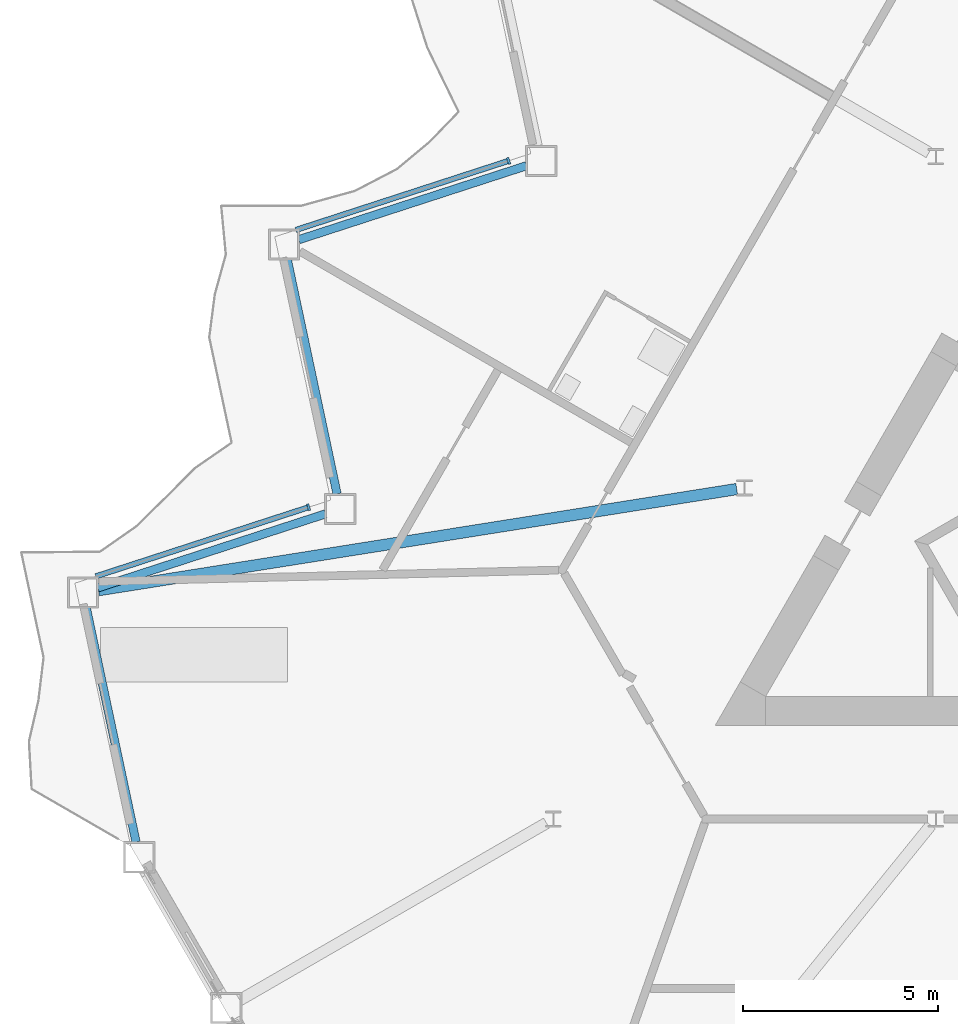
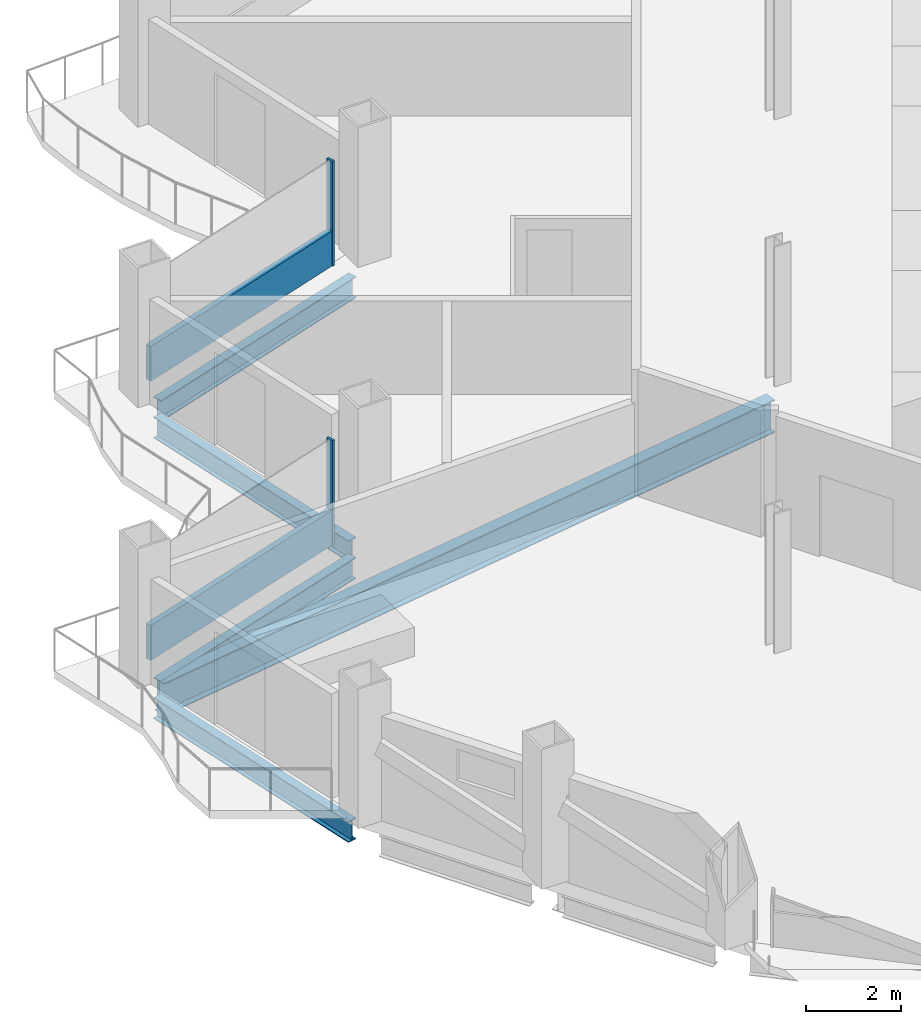
# One storey, part 4 of 22: 5 beams, 4 members, 2 elements without a shape of their own.
"""IFC4 building model written with IfcOpenShell, lengths in metres."""

from ifc_helpers import new_model, si_unit, direction, frame, origin, origin_2d, place, context, subcontext, project, spatial, rectangle, i_section, extrude, material, layer, layer_set, material_profile, profile_set, type_object, element, aggregate, save


model = new_model("IFC4")

# Units and contexts
model_context = context("Model", 3, precision=1e-05, world=origin(), true_north=direction((0.0, 1.0)))
body_context = subcontext(model_context, "Body", "Model", "MODEL_VIEW")
ifc_project = project(units=[si_unit("LENGTHUNIT", "METRE"), si_unit("AREAUNIT", "SQUARE_METRE"), si_unit("VOLUMEUNIT", "CUBIC_METRE"), si_unit("PLANEANGLEUNIT", "RADIAN"), si_unit("MASSUNIT", "GRAM", prefix="KILO")], contexts=[model_context])

# Site, building, storey
site_placement = place(None, origin())
site = spatial("IfcSite", under=ifc_project, at=site_placement, CompositionType="ELEMENT")
building_placement = place(site_placement, origin())
building = spatial("IfcBuilding", under=site, at=building_placement, Name="Cormorant Prow Tower", CompositionType="ELEMENT")
storey_placement = place(building_placement, frame((0.0, 0.0, 190.800048828125)))
storey = spatial("IfcBuildingStorey", under=building, at=storey_placement, Name="L41", CompositionType="ELEMENT", Elevation=190.800048828125)

# Curtain wall, member
ifc_material_1 = material(Name="Aluminium 6063-T6", Category="aluminium")
ifc_layer = layer(ifc_material_1, 0.179931640625)
ifc_layer_set = layer_set([ifc_layer], Name="Aluminium 6063-T6")
curtain_wall_type = type_object("IfcCurtainWallType", Name="Hotel unitised curtain wall 180", PredefinedType="NOTDEFINED", material=ifc_layer_set)
curtain_wall_1_placement = place(storey_placement, origin())
curtain_wall_1 = element("IfcCurtainWall", 1, at=curtain_wall_1_placement, inside=storey, type_object=curtain_wall_type, Name="Hotel curtain wall WNW06", PredefinedType="NOTDEFINED")
ifc_material_2 = material(Name="Aluminium 6063-T6", Category="aluminium")
ifc_material_profile_1 = material_profile(ifc_material_2, rectangle(XDim=0.179931640625, YDim=0.06005859375, at=origin_2d()), Name="Hotel mullion 60x180")
ifc_profile_set_1 = profile_set([ifc_material_profile_1], Name="Aluminium 6063-T6")
member_type_1 = type_object("IfcMemberType", Name="Hotel mullion 60x180", PredefinedType="MULLION", material=ifc_profile_set_1)
member_1_placement = place(storey_placement, frame((-20.803955078125, 5.564697265625, 0.0), z_axis=(0.0, 0.0, 1.0), x_axis=(0.309016983088, -0.951056519963, 0.0)))
member_1 = element("IfcMember", 2, at=member_1_placement, type_object=member_type_1, Name="Hotel mullion WNW06", PredefinedType="MULLION", context=body_context, shape_type="SweptSolid", body=[
    extrude(rectangle(XDim=0.179931640625, YDim=0.06005859375, at=origin_2d()), origin(), (0.0, 0.0, 1.0), 2.700927734375),
])

curtain_wall_2_placement = place(storey_placement, origin())
curtain_wall_2 = element("IfcCurtainWall", 3, at=curtain_wall_2_placement, inside=storey, type_object=curtain_wall_type, Name="Hotel curtain wall WNW08", PredefinedType="NOTDEFINED")
member_2_placement = place(storey_placement, frame((-25.942626953125, -3.335693359375, 0.0), z_axis=(0.0, 0.0, 1.0), x_axis=(0.309017113905, -0.951056477458, 0.0)))
member_2 = element("IfcMember", 4, at=member_2_placement, type_object=member_type_1, Name="Hotel mullion WNW08", PredefinedType="MULLION", context=body_context, shape_type="SweptSolid", body=[
    extrude(rectangle(XDim=0.179931640625, YDim=0.06005859375, at=origin_2d()), origin(), (0.0, 0.0, 1.0), 2.700927734375),
])

# Member
ifc_material_3 = material(Name="Terracotta", Category="masonry")
ifc_material_profile_2 = material_profile(ifc_material_3, rectangle(XDim=0.139892578125, YDim=0.89990234375, at=origin_2d()), Name="Hotel terracotta spandrel rail 140x900")
ifc_profile_set_2 = profile_set([ifc_material_profile_2], Name="Terracotta")
member_type_2 = type_object("IfcMemberType", Name="Hotel terracotta spandrel rail 140x900", PredefinedType="USERDEFINED", material=ifc_profile_set_2)
member_3_placement = place(storey_placement, frame((-20.83251953125, 5.555419921875, 0.449951171875), z_axis=(-0.951046930977, -0.309046493394, 0.0), x_axis=(0.309046493394, -0.951046930977, 0.0)))
member_3 = element("IfcMember", 5, at=member_3_placement, type_object=member_type_2, Name="Hotel spandrel rail WNW06", ObjectType="TRANSOM", PredefinedType="USERDEFINED", context=body_context, shape_type="SweptSolid", body=[
    extrude(rectangle(XDim=0.139892578125, YDim=0.89990234375, at=origin_2d()), origin(), (0.0, 0.0, 1.0), 5.71875),
])

aggregate(curtain_wall_1, [member_1, member_3])

member_4_placement = place(storey_placement, frame((-25.970947265625, -3.344970703125, 0.449951171875), z_axis=(-0.951059478258, -0.309007878243, 0.0), x_axis=(0.309007878243, -0.951059478258, 0.0)))
member_4 = element("IfcMember", 6, at=member_4_placement, type_object=member_type_2, Name="Hotel spandrel rail WNW08", ObjectType="TRANSOM", PredefinedType="USERDEFINED", context=body_context, shape_type="SweptSolid", body=[
    extrude(rectangle(XDim=0.139892578125, YDim=0.89990234375, at=origin_2d()), origin(), (0.0, 0.0, 1.0), 5.718505859375),
])

aggregate(curtain_wall_2, [member_2, member_4])

# Beams
ifc_material_4 = material(Name="Structural steel ASTM A992 Gr 50", Category="steel")
ifc_material_profile_3 = material_profile(ifc_material_4, i_section(OverallWidth=0.29296875, OverallDepth=0.845703125, WebThickness=0.015380859375, FlangeThickness=0.0244140625, at=origin_2d()), Name="W33x141")
ifc_profile_set_3 = profile_set([ifc_material_profile_3], Name="Structural steel ASTM A992 Gr 50")
beam_type_1 = type_object("IfcBeamType", Name="Radial floor beam W33x141", PredefinedType="BEAM", material=ifc_profile_set_3)
beam_1_placement = place(storey_placement, frame((-14.94384765625, -2.869140625, -0.77294921875), z_axis=(-0.987678058302, -0.156499371084, 0.0), x_axis=(0.156499371084, -0.987678058302, 0.0)))
element("IfcBeam", 7, at=beam_1_placement, inside=storey, type_object=beam_type_1, Name="Radial floor beam FB2 4 L41", PredefinedType="BEAM", context=body_context, shape_type="SweptSolid", body=[
    extrude(i_section(OverallWidth=0.29296875, OverallDepth=0.845703125, WebThickness=0.015380859375, FlangeThickness=0.0244140625, at=origin_2d()), origin(), (0.0, 0.0, 1.0), 16.604736328125),
])
ifc_material_5 = material(Name="Structural steel ASTM A992 Gr 50", Category="steel")
ifc_material_profile_4 = material_profile(ifc_material_5, i_section(OverallWidth=0.2138671875, OverallDepth=0.549072265625, WebThickness=0.0146484375, FlangeThickness=0.023681640625, at=origin_2d()), Name="W21x93")
ifc_profile_set_4 = profile_set([ifc_material_profile_4], Name="Structural steel ASTM A992 Gr 50")
beam_type_2 = type_object("IfcBeamType", Name="Spandrel beam W21x93", PredefinedType="SPANDREL", material=ifc_profile_set_4)
beam_2_placement = place(storey_placement, frame((-20.344970703125, 5.439208984375, -0.62451171875), z_axis=(-0.951057696564, -0.309013361859, 0.0), x_axis=(0.309013361859, -0.951057696564, 0.0)))
element("IfcBeam", 8, at=beam_2_placement, inside=storey, type_object=beam_type_2, Name="Spandrel beam SB2 WNW06-WNW07 L41", PredefinedType="SPANDREL", context=body_context, shape_type="SweptSolid", body=[
    extrude(i_section(OverallWidth=0.2138671875, OverallDepth=0.549072265625, WebThickness=0.0146484375, FlangeThickness=0.023681640625, at=origin_2d()), origin(), (0.0, 0.0, 1.0), 6.14990234375),
])
beam_3_placement = place(storey_placement, frame((-26.490966796875, 3.02392578125, -0.62451171875), z_axis=(0.207904811195, -0.978149063018, 0.0), x_axis=(0.978149063018, 0.207904811195, 0.0)))
element("IfcBeam", 9, at=beam_3_placement, inside=storey, type_object=beam_type_2, Name="Spandrel beam SB2 WNW07-WNW08 L41", PredefinedType="SPANDREL", context=body_context, shape_type="SweptSolid", body=[
    extrude(i_section(OverallWidth=0.2138671875, OverallDepth=0.549072265625, WebThickness=0.0146484375, FlangeThickness=0.023681640625, at=origin_2d()), origin(), (0.0, 0.0, 1.0), 6.149658203125),
])
beam_4_placement = place(storey_placement, frame((-25.509765625, -3.50634765625, -0.62451171875), z_axis=(-0.951057696564, -0.309013361859, 0.0), x_axis=(0.309013361859, -0.951057696564, 0.0)))
element("IfcBeam", 10, at=beam_4_placement, inside=storey, type_object=beam_type_2, Name="Spandrel beam SB2 WNW08-WNW09 L41", PredefinedType="SPANDREL", context=body_context, shape_type="SweptSolid", body=[
    extrude(i_section(OverallWidth=0.2138671875, OverallDepth=0.549072265625, WebThickness=0.0146484375, FlangeThickness=0.023681640625, at=origin_2d()), origin(), (0.0, 0.0, 1.0), 6.14990234375),
])
beam_5_placement = place(storey_placement, frame((-31.65576171875, -5.921630859375, -0.62451171875), z_axis=(0.207904811195, -0.978149063018, 0.0), x_axis=(0.978149063018, 0.207904811195, 0.0)))
element("IfcBeam", 11, at=beam_5_placement, inside=storey, type_object=beam_type_2, Name="Spandrel beam SB2 WNW09-WSW00 L41", PredefinedType="SPANDREL", context=body_context, shape_type="SweptSolid", body=[
    extrude(i_section(OverallWidth=0.2138671875, OverallDepth=0.549072265625, WebThickness=0.0146484375, FlangeThickness=0.023681640625, at=origin_2d()), origin(), (0.0, 0.0, 1.0), 6.149658203125),
])

save(model, "model.ifc")
